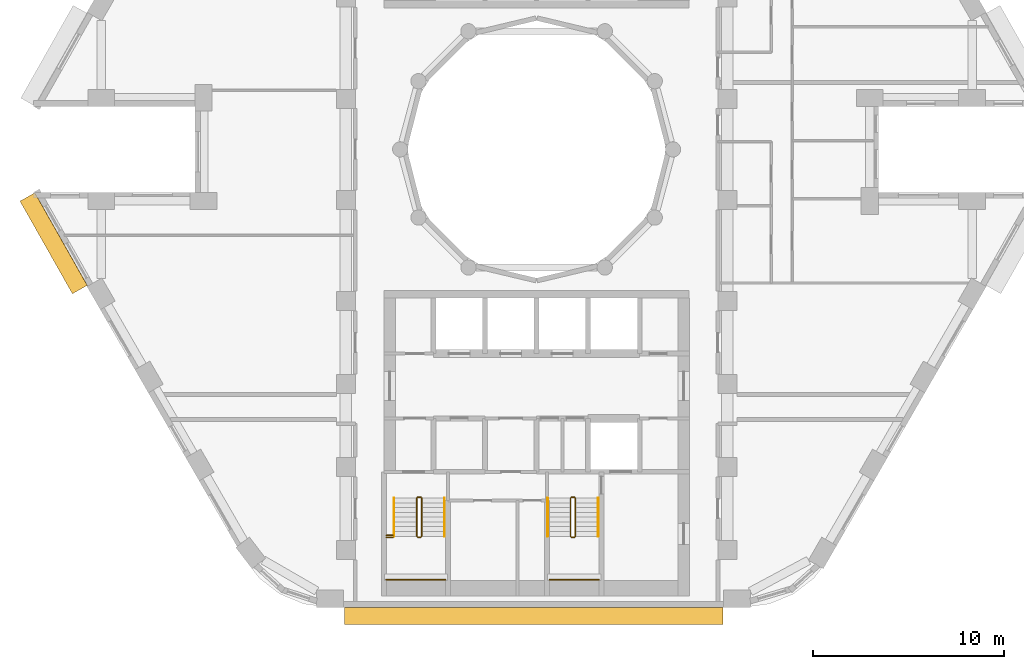
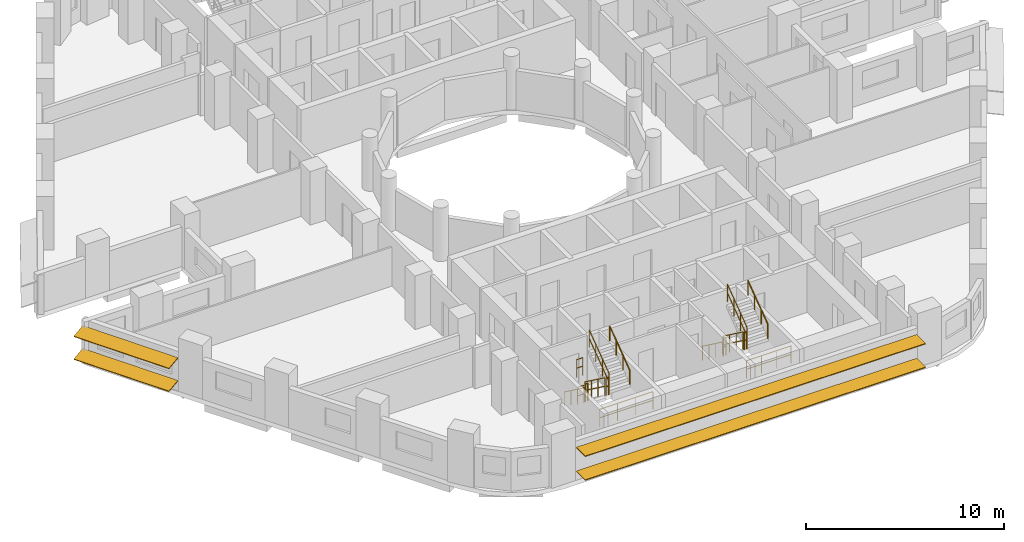
# One storey, part 11 of 13: 16 railings, 4 shading devices.
"""IFC4 building model written with IfcOpenShell, lengths in metres."""

from ifc_helpers import new_model, si_unit, direction, frame, origin, origin_2d, place, context, subcontext, project, spatial, rectangle, circle, extrude, material, material_profile, profile_set, type_object, element, save


model = new_model("IFC4")

# Units and contexts
model_context = context("Model", 3, precision=1e-05, world=origin(), true_north=direction((0.0, 1.0)))
body_context = subcontext(model_context, "Body", "Model", "MODEL_VIEW")
ifc_project = project(units=[si_unit("LENGTHUNIT", "METRE"), si_unit("AREAUNIT", "SQUARE_METRE"), si_unit("VOLUMEUNIT", "CUBIC_METRE"), si_unit("PLANEANGLEUNIT", "RADIAN"), si_unit("MASSUNIT", "GRAM", prefix="KILO")], contexts=[model_context])

# Site, building, storey
site_placement = place(None, origin())
site = spatial("IfcSite", under=ifc_project, at=site_placement, CompositionType="ELEMENT")
building_placement = place(site_placement, origin())
building = spatial("IfcBuilding", under=site, at=building_placement, Name="Nakaniwa Court", CompositionType="ELEMENT")
storey_placement = place(building_placement, frame((0.0, 0.0, 81.0)))
storey = spatial("IfcBuildingStorey", under=building, at=storey_placement, Name="L20", CompositionType="ELEMENT", Elevation=81.0)

# Shading devices
ifc_material_1 = material(Name="Perforated charcoal ceramic louvre blade")
ifc_material_profile = material_profile(ifc_material_1, rectangle(XDim=0.89990234375, YDim=0.050048828125, at=origin_2d()), Name="Perforated ceramic louvre blade")
ifc_profile_set = profile_set([ifc_material_profile], Name="Perforated charcoal ceramic louvre blade")
shading_device_type = type_object("IfcShadingDeviceType", Name="Perforated ceramic louvre blade", PredefinedType="JALOUSIE", material=ifc_profile_set)
for number, where, z_axis, x_axis, name in (
    (1, (53.31689453125, 77.508056640625, 0.550048828125), (0.492438058427, -0.870347493024, 0.0), (0.862701960504, 0.488112256124, 0.132256390257), "L20 perforated ceramic louvre blade w20 1"),
    (2, (53.31689453125, 77.508056640625, 1.955810546875), (0.492438058427, -0.870347493024, 0.0), (0.862701960504, 0.488112256124, 0.132256390257), "L20 perforated ceramic louvre blade w20 2"),
):
    element("IfcShadingDevice", number, at=place(storey_placement, frame(where, z_axis=z_axis, x_axis=x_axis)), inside=storey, type_object=shading_device_type, Name=name, PredefinedType="JALOUSIE", context=body_context, shape_type="SweptSolid", body=[
        extrude(rectangle(XDim=0.89990234375, YDim=0.050048828125, at=origin_2d()), origin(), (0.0, 0.0, 1.0), 5.576416015625),
    ])
for number, where, z_axis, x_axis, name in (
    (3, (69.92138671875, 55.550048828125, 0.550048828125), (1.0, 0.0, 0.0), (0.0, 1.0, 0.0), "L20 perforated ceramic louvre blade w26 1"),
    (4, (69.92138671875, 55.550048828125, 2.014892578125), (1.0, 0.0, 0.0), (0.0, 1.0, 0.0), "L20 perforated ceramic louvre blade w26 2"),
):
    element("IfcShadingDevice", number, at=place(storey_placement, frame(where, z_axis=z_axis, x_axis=x_axis)), inside=storey, type_object=shading_device_type, Name=name, PredefinedType="JALOUSIE", context=body_context, shape_type="SweptSolid", body=[
        extrude(rectangle(XDim=0.89990234375, YDim=0.050048828125, at=origin_2d()), origin(), (0.0, 0.0, 1.0), 19.839599609375),
    ])

# Railings
ifc_material_2 = material(Name="Black powder coated steel guard", Category="steel")
railing_type_1 = type_object("IfcRailingType", Name="Stair guard 1100", PredefinedType="GUARDRAIL", material=ifc_material_2)
railing_1_placement = place(storey_placement, frame((73.72509765625, 61.72509765625, 0.183349609375)))
element("IfcRailing", 5, at=railing_1_placement, inside=storey, type_object=railing_type_1, Name="L20 ST3 stair guard 1", PredefinedType="GUARDRAIL", context=body_context, shape_type="SweptSolid", body=[
    extrude(circle(Radius=0.02392578125, at=origin_2d()), frame((0.0, 0.0, 1.076171875), z_axis=(0.0, -0.806426902644, 0.591333789573), x_axis=(1.0, 0.0, 0.0)), (0.0, 0.0, 1.0), 2.47998046875),
    extrude(circle(Radius=0.02392578125, at=origin_2d()), frame((0.0, 0.0, 0.550048828125), z_axis=(0.0, -0.806426902644, 0.591333789573), x_axis=(1.0, 0.0, 0.0)), (0.0, 0.0, 1.0), 2.47998046875),
    extrude(circle(Radius=0.02099609375, at=origin_2d()), origin(), (0.0, 0.0, 1.0), 1.052001953125),
    extrude(circle(Radius=0.02099609375, at=origin_2d()), frame((0.0, -0.666748046875, 0.48876953125)), (0.0, 0.0, 1.0), 1.052001953125),
    extrude(circle(Radius=0.02099609375, at=origin_2d()), frame((0.0, -1.333251953125, 0.977783203125)), (0.0, 0.0, 1.0), 1.052001953125),
    extrude(circle(Radius=0.02099609375, at=origin_2d()), frame((0.0, -2.0, 1.466552734375)), (0.0, 0.0, 1.0), 1.052001953125),
])
railing_2_placement = place(storey_placement, frame((73.77490234375, 59.675048828125, 1.64990234375)))
element("IfcRailing", 6, at=railing_2_placement, inside=storey, type_object=railing_type_1, Name="L20 ST3 stair guard 2", PredefinedType="GUARDRAIL", context=body_context, shape_type="SweptSolid", body=[
    extrude(circle(Radius=0.02392578125, at=origin_2d()), frame((0.0, 0.0, 1.076171875), z_axis=(1.0, 0.0, 0.0), x_axis=(0.0, 1.0, 0.0)), (0.0, 0.0, 1.0), 0.150146484375),
    extrude(circle(Radius=0.02392578125, at=origin_2d()), frame((0.0, 0.0, 0.550048828125), z_axis=(1.0, 0.0, 0.0), x_axis=(0.0, 1.0, 0.0)), (0.0, 0.0, 1.0), 0.150146484375),
    extrude(circle(Radius=0.02099609375, at=origin_2d()), origin(), (0.0, 0.0, 1.0), 1.052001953125),
    extrude(circle(Radius=0.02099609375, at=origin_2d()), frame((0.150146484375, 0.0, 0.0)), (0.0, 0.0, 1.0), 1.052001953125),
])
railing_3_placement = place(storey_placement, frame((73.97509765625, 59.72509765625, 1.833251953125)))
element("IfcRailing", 7, at=railing_3_placement, inside=storey, type_object=railing_type_1, Name="L20 ST3 stair guard 3", PredefinedType="GUARDRAIL", context=body_context, shape_type="SweptSolid", body=[
    extrude(circle(Radius=0.02392578125, at=origin_2d()), frame((0.0, 0.0, 1.076171875), z_axis=(0.0, 0.806379959628, 0.591397802423), x_axis=(-1.0, 0.0, 0.0)), (0.0, 0.0, 1.0), 2.480224609375),
    extrude(circle(Radius=0.02392578125, at=origin_2d()), frame((0.0, 0.0, 0.550048828125), z_axis=(0.0, 0.806379959628, 0.591397802423), x_axis=(-1.0, 0.0, 0.0)), (0.0, 0.0, 1.0), 2.480224609375),
    extrude(circle(Radius=0.02099609375, at=origin_2d()), origin(), (0.0, 0.0, 1.0), 1.052001953125),
    extrude(circle(Radius=0.02099609375, at=origin_2d()), frame((0.0, 0.666748046875, 0.489013671875)), (0.0, 0.0, 1.0), 1.052001953125),
    extrude(circle(Radius=0.02099609375, at=origin_2d()), frame((0.0, 1.333251953125, 0.977783203125)), (0.0, 0.0, 1.0), 1.052001953125),
    extrude(circle(Radius=0.02099609375, at=origin_2d()), frame((0.0, 2.0, 1.466796875)), (0.0, 0.0, 1.0), 1.052001953125),
])
railing_4_placement = place(storey_placement, frame((73.77490234375, 61.77490234375, 0.0)))
element("IfcRailing", 8, at=railing_4_placement, inside=storey, type_object=railing_type_1, Name="L20 ST3 stair guard 4", PredefinedType="GUARDRAIL", context=body_context, shape_type="SweptSolid", body=[
    extrude(circle(Radius=0.02392578125, at=origin_2d()), frame((0.0, 0.0, 1.076171875), z_axis=(1.0, 0.0, 0.0), x_axis=(0.0, 1.0, 0.0)), (0.0, 0.0, 1.0), 0.150146484375),
    extrude(circle(Radius=0.02392578125, at=origin_2d()), frame((0.0, 0.0, 0.550048828125), z_axis=(1.0, 0.0, 0.0), x_axis=(0.0, 1.0, 0.0)), (0.0, 0.0, 1.0), 0.150146484375),
    extrude(circle(Radius=0.02099609375, at=origin_2d()), origin(), (0.0, 0.0, 1.0), 1.052001953125),
    extrude(circle(Radius=0.02099609375, at=origin_2d()), frame((0.150146484375, 0.0, 0.0)), (0.0, 0.0, 1.0), 1.052001953125),
])
railing_5_placement = place(storey_placement, frame((72.125, 57.449951171875, 1.64990234375)))
element("IfcRailing", 9, at=railing_5_placement, inside=storey, type_object=railing_type_1, Name="L20 ST3 landing end guard 1", PredefinedType="GUARDRAIL", context=body_context, shape_type="SweptSolid", body=[
    extrude(circle(Radius=0.02392578125, at=origin_2d()), frame((0.0, 0.0, 1.076171875), z_axis=(1.0, 0.0, 0.0), x_axis=(0.0, 1.0, 0.0)), (0.0, 0.0, 1.0), 3.10009765625),
    extrude(circle(Radius=0.02392578125, at=origin_2d()), frame((0.0, 0.0, 0.550048828125), z_axis=(1.0, 0.0, 0.0), x_axis=(0.0, 1.0, 0.0)), (0.0, 0.0, 1.0), 3.10009765625),
    extrude(circle(Radius=0.02099609375, at=origin_2d()), origin(), (0.0, 0.0, 1.0), 1.052001953125),
    extrude(circle(Radius=0.02099609375, at=origin_2d()), frame((1.033447265625, 0.0, 0.0)), (0.0, 0.0, 1.0), 1.052001953125),
    extrude(circle(Radius=0.02099609375, at=origin_2d()), frame((2.066650390625, 0.0, 0.0)), (0.0, 0.0, 1.0), 1.052001953125),
    extrude(circle(Radius=0.02099609375, at=origin_2d()), frame((3.10009765625, 0.0, 0.0)), (0.0, 0.0, 1.0), 1.052001953125),
])
for number, where, name in (
    (10, (72.125, 59.675048828125, 1.64990234375), "L20 ST3 landing side guard 1W"),
    (11, (72.125, 59.77490234375, 3.300048828125), "L20 ST3 floor edge guard 1W"),
):
    element("IfcRailing", number, at=place(storey_placement, frame(where)), inside=storey, type_object=railing_type_1, Name=name, PredefinedType="GUARDRAIL", context=body_context, shape_type="SweptSolid", body=[
        extrude(circle(Radius=0.02392578125, at=origin_2d()), frame((0.0, 0.0, 1.076171875), z_axis=(1.0, 0.0, 0.0), x_axis=(0.0, 1.0, 0.0)), (0.0, 0.0, 1.0), 0.35009765625),
        extrude(circle(Radius=0.02392578125, at=origin_2d()), frame((0.0, 0.0, 0.550048828125), z_axis=(1.0, 0.0, 0.0), x_axis=(0.0, 1.0, 0.0)), (0.0, 0.0, 1.0), 0.35009765625),
        extrude(circle(Radius=0.02099609375, at=origin_2d()), origin(), (0.0, 0.0, 1.0), 1.052001953125),
        extrude(circle(Radius=0.02099609375, at=origin_2d()), frame((0.35009765625, 0.0, 0.0)), (0.0, 0.0, 1.0), 1.052001953125),
    ])
railing_6_placement = place(storey_placement, frame((81.77490234375, 61.72509765625, 0.183349609375)))
element("IfcRailing", 12, at=railing_6_placement, inside=storey, type_object=railing_type_1, Name="L20 ST4 stair guard 1", PredefinedType="GUARDRAIL", context=body_context, shape_type="SweptSolid", body=[
    extrude(circle(Radius=0.02392578125, at=origin_2d()), frame((0.0, 0.0, 1.076171875), z_axis=(0.0, -0.806426902644, 0.591333789573), x_axis=(1.0, 0.0, 0.0)), (0.0, 0.0, 1.0), 2.47998046875),
    extrude(circle(Radius=0.02392578125, at=origin_2d()), frame((0.0, 0.0, 0.550048828125), z_axis=(0.0, -0.806426902644, 0.591333789573), x_axis=(1.0, 0.0, 0.0)), (0.0, 0.0, 1.0), 2.47998046875),
    extrude(circle(Radius=0.02099609375, at=origin_2d()), origin(), (0.0, 0.0, 1.0), 1.052001953125),
    extrude(circle(Radius=0.02099609375, at=origin_2d()), frame((0.0, -0.666748046875, 0.48876953125)), (0.0, 0.0, 1.0), 1.052001953125),
    extrude(circle(Radius=0.02099609375, at=origin_2d()), frame((0.0, -1.333251953125, 0.977783203125)), (0.0, 0.0, 1.0), 1.052001953125),
    extrude(circle(Radius=0.02099609375, at=origin_2d()), frame((0.0, -2.0, 1.466552734375)), (0.0, 0.0, 1.0), 1.052001953125),
])
railing_7_placement = place(storey_placement, frame((81.824951171875, 59.675048828125, 1.64990234375)))
element("IfcRailing", 13, at=railing_7_placement, inside=storey, type_object=railing_type_1, Name="L20 ST4 stair guard 2", PredefinedType="GUARDRAIL", context=body_context, shape_type="SweptSolid", body=[
    extrude(circle(Radius=0.02392578125, at=origin_2d()), frame((0.0, 0.0, 1.076171875), z_axis=(1.0, 0.0, 0.0), x_axis=(0.0, 1.0, 0.0)), (0.0, 0.0, 1.0), 0.150146484375),
    extrude(circle(Radius=0.02392578125, at=origin_2d()), frame((0.0, 0.0, 0.550048828125), z_axis=(1.0, 0.0, 0.0), x_axis=(0.0, 1.0, 0.0)), (0.0, 0.0, 1.0), 0.150146484375),
    extrude(circle(Radius=0.02099609375, at=origin_2d()), origin(), (0.0, 0.0, 1.0), 1.052001953125),
    extrude(circle(Radius=0.02099609375, at=origin_2d()), frame((0.150146484375, 0.0, 0.0)), (0.0, 0.0, 1.0), 1.052001953125),
])
railing_8_placement = place(storey_placement, frame((82.02490234375, 59.72509765625, 1.833251953125)))
element("IfcRailing", 14, at=railing_8_placement, inside=storey, type_object=railing_type_1, Name="L20 ST4 stair guard 3", PredefinedType="GUARDRAIL", context=body_context, shape_type="SweptSolid", body=[
    extrude(circle(Radius=0.02392578125, at=origin_2d()), frame((0.0, 0.0, 1.076171875), z_axis=(0.0, 0.806379959628, 0.591397802423), x_axis=(-1.0, 0.0, 0.0)), (0.0, 0.0, 1.0), 2.480224609375),
    extrude(circle(Radius=0.02392578125, at=origin_2d()), frame((0.0, 0.0, 0.550048828125), z_axis=(0.0, 0.806379959628, 0.591397802423), x_axis=(-1.0, 0.0, 0.0)), (0.0, 0.0, 1.0), 2.480224609375),
    extrude(circle(Radius=0.02099609375, at=origin_2d()), origin(), (0.0, 0.0, 1.0), 1.052001953125),
    extrude(circle(Radius=0.02099609375, at=origin_2d()), frame((0.0, 0.666748046875, 0.489013671875)), (0.0, 0.0, 1.0), 1.052001953125),
    extrude(circle(Radius=0.02099609375, at=origin_2d()), frame((0.0, 1.333251953125, 0.977783203125)), (0.0, 0.0, 1.0), 1.052001953125),
    extrude(circle(Radius=0.02099609375, at=origin_2d()), frame((0.0, 2.0, 1.466796875)), (0.0, 0.0, 1.0), 1.052001953125),
])
railing_9_placement = place(storey_placement, frame((81.824951171875, 61.77490234375, 0.0)))
element("IfcRailing", 15, at=railing_9_placement, inside=storey, type_object=railing_type_1, Name="L20 ST4 stair guard 4", PredefinedType="GUARDRAIL", context=body_context, shape_type="SweptSolid", body=[
    extrude(circle(Radius=0.02392578125, at=origin_2d()), frame((0.0, 0.0, 1.076171875), z_axis=(1.0, 0.0, 0.0), x_axis=(0.0, 1.0, 0.0)), (0.0, 0.0, 1.0), 0.150146484375),
    extrude(circle(Radius=0.02392578125, at=origin_2d()), frame((0.0, 0.0, 0.550048828125), z_axis=(1.0, 0.0, 0.0), x_axis=(0.0, 1.0, 0.0)), (0.0, 0.0, 1.0), 0.150146484375),
    extrude(circle(Radius=0.02099609375, at=origin_2d()), origin(), (0.0, 0.0, 1.0), 1.052001953125),
    extrude(circle(Radius=0.02099609375, at=origin_2d()), frame((0.150146484375, 0.0, 0.0)), (0.0, 0.0, 1.0), 1.052001953125),
])
railing_10_placement = place(storey_placement, frame((80.675048828125, 57.449951171875, 1.64990234375)))
element("IfcRailing", 16, at=railing_10_placement, inside=storey, type_object=railing_type_1, Name="L20 ST4 landing end guard 1", PredefinedType="GUARDRAIL", context=body_context, shape_type="SweptSolid", body=[
    extrude(circle(Radius=0.02392578125, at=origin_2d()), frame((0.0, 0.0, 1.076171875), z_axis=(1.0, 0.0, 0.0), x_axis=(0.0, 1.0, 0.0)), (0.0, 0.0, 1.0), 2.599853515625),
    extrude(circle(Radius=0.02392578125, at=origin_2d()), frame((0.0, 0.0, 0.550048828125), z_axis=(1.0, 0.0, 0.0), x_axis=(0.0, 1.0, 0.0)), (0.0, 0.0, 1.0), 2.599853515625),
    extrude(circle(Radius=0.02099609375, at=origin_2d()), origin(), (0.0, 0.0, 1.0), 1.052001953125),
    extrude(circle(Radius=0.02099609375, at=origin_2d()), frame((0.86669921875, 0.0, 0.0)), (0.0, 0.0, 1.0), 1.052001953125),
    extrude(circle(Radius=0.02099609375, at=origin_2d()), frame((1.733154296875, 0.0, 0.0)), (0.0, 0.0, 1.0), 1.052001953125),
    extrude(circle(Radius=0.02099609375, at=origin_2d()), frame((2.599853515625, 0.0, 0.0)), (0.0, 0.0, 1.0), 1.052001953125),
])
ifc_material_3 = material(Name="Black powder coated steel handrail", Category="steel")
railing_type_2 = type_object("IfcRailingType", Name="Stair handrail 900", PredefinedType="HANDRAIL", material=ifc_material_3)
railing_11_placement = place(storey_placement, frame((72.52490234375, 61.72509765625, 0.183349609375)))
element("IfcRailing", 17, at=railing_11_placement, inside=storey, type_object=railing_type_2, Name="L20 ST3 stair handrail 1", PredefinedType="HANDRAIL", context=body_context, shape_type="SweptSolid", body=[
    extrude(circle(Radius=0.02392578125, at=origin_2d()), frame((0.0, 0.0, 0.8759765625), z_axis=(0.0, -0.806426902644, 0.591333789573), x_axis=(1.0, 0.0, 0.0)), (0.0, 0.0, 1.0), 2.47998046875),
    extrude(circle(Radius=0.02099609375, at=origin_2d()), origin(), (0.0, 0.0, 1.0), 0.851806640625),
    extrude(circle(Radius=0.02099609375, at=origin_2d()), frame((0.0, -0.666748046875, 0.48876953125)), (0.0, 0.0, 1.0), 0.851806640625),
    extrude(circle(Radius=0.02099609375, at=origin_2d()), frame((0.0, -1.333251953125, 0.977783203125)), (0.0, 0.0, 1.0), 0.851806640625),
    extrude(circle(Radius=0.02099609375, at=origin_2d()), frame((0.0, -2.0, 1.466552734375)), (0.0, 0.0, 1.0), 0.851806640625),
])
railing_12_placement = place(storey_placement, frame((75.175048828125, 59.72509765625, 1.833251953125)))
element("IfcRailing", 18, at=railing_12_placement, inside=storey, type_object=railing_type_2, Name="L20 ST3 stair handrail 2", PredefinedType="HANDRAIL", context=body_context, shape_type="SweptSolid", body=[
    extrude(circle(Radius=0.02392578125, at=origin_2d()), frame((0.0, 0.0, 0.8759765625), z_axis=(0.0, 0.806379959628, 0.591397802423), x_axis=(-1.0, 0.0, 0.0)), (0.0, 0.0, 1.0), 2.480224609375),
    extrude(circle(Radius=0.02099609375, at=origin_2d()), origin(), (0.0, 0.0, 1.0), 0.851806640625),
    extrude(circle(Radius=0.02099609375, at=origin_2d()), frame((0.0, 0.666748046875, 0.489013671875)), (0.0, 0.0, 1.0), 0.851806640625),
    extrude(circle(Radius=0.02099609375, at=origin_2d()), frame((0.0, 1.333251953125, 0.977783203125)), (0.0, 0.0, 1.0), 0.851806640625),
    extrude(circle(Radius=0.02099609375, at=origin_2d()), frame((0.0, 2.0, 1.466796875)), (0.0, 0.0, 1.0), 0.851806640625),
])
railing_13_placement = place(storey_placement, frame((80.574951171875, 61.72509765625, 0.183349609375)))
element("IfcRailing", 19, at=railing_13_placement, inside=storey, type_object=railing_type_2, Name="L20 ST4 stair handrail 1", PredefinedType="HANDRAIL", context=body_context, shape_type="SweptSolid", body=[
    extrude(circle(Radius=0.02392578125, at=origin_2d()), frame((0.0, 0.0, 0.8759765625), z_axis=(0.0, -0.806426902644, 0.591333789573), x_axis=(1.0, 0.0, 0.0)), (0.0, 0.0, 1.0), 2.47998046875),
    extrude(circle(Radius=0.02099609375, at=origin_2d()), origin(), (0.0, 0.0, 1.0), 0.851806640625),
    extrude(circle(Radius=0.02099609375, at=origin_2d()), frame((0.0, -0.666748046875, 0.48876953125)), (0.0, 0.0, 1.0), 0.851806640625),
    extrude(circle(Radius=0.02099609375, at=origin_2d()), frame((0.0, -1.333251953125, 0.977783203125)), (0.0, 0.0, 1.0), 0.851806640625),
    extrude(circle(Radius=0.02099609375, at=origin_2d()), frame((0.0, -2.0, 1.466552734375)), (0.0, 0.0, 1.0), 0.851806640625),
])
railing_14_placement = place(storey_placement, frame((83.22509765625, 59.72509765625, 1.833251953125)))
element("IfcRailing", 20, at=railing_14_placement, inside=storey, type_object=railing_type_2, Name="L20 ST4 stair handrail 2", PredefinedType="HANDRAIL", context=body_context, shape_type="SweptSolid", body=[
    extrude(circle(Radius=0.02392578125, at=origin_2d()), frame((0.0, 0.0, 0.8759765625), z_axis=(0.0, 0.806379959628, 0.591397802423), x_axis=(-1.0, 0.0, 0.0)), (0.0, 0.0, 1.0), 2.480224609375),
    extrude(circle(Radius=0.02099609375, at=origin_2d()), origin(), (0.0, 0.0, 1.0), 0.851806640625),
    extrude(circle(Radius=0.02099609375, at=origin_2d()), frame((0.0, 0.666748046875, 0.489013671875)), (0.0, 0.0, 1.0), 0.851806640625),
    extrude(circle(Radius=0.02099609375, at=origin_2d()), frame((0.0, 1.333251953125, 0.977783203125)), (0.0, 0.0, 1.0), 0.851806640625),
    extrude(circle(Radius=0.02099609375, at=origin_2d()), frame((0.0, 2.0, 1.466796875)), (0.0, 0.0, 1.0), 0.851806640625),
])

save(model, "model.ifc")
